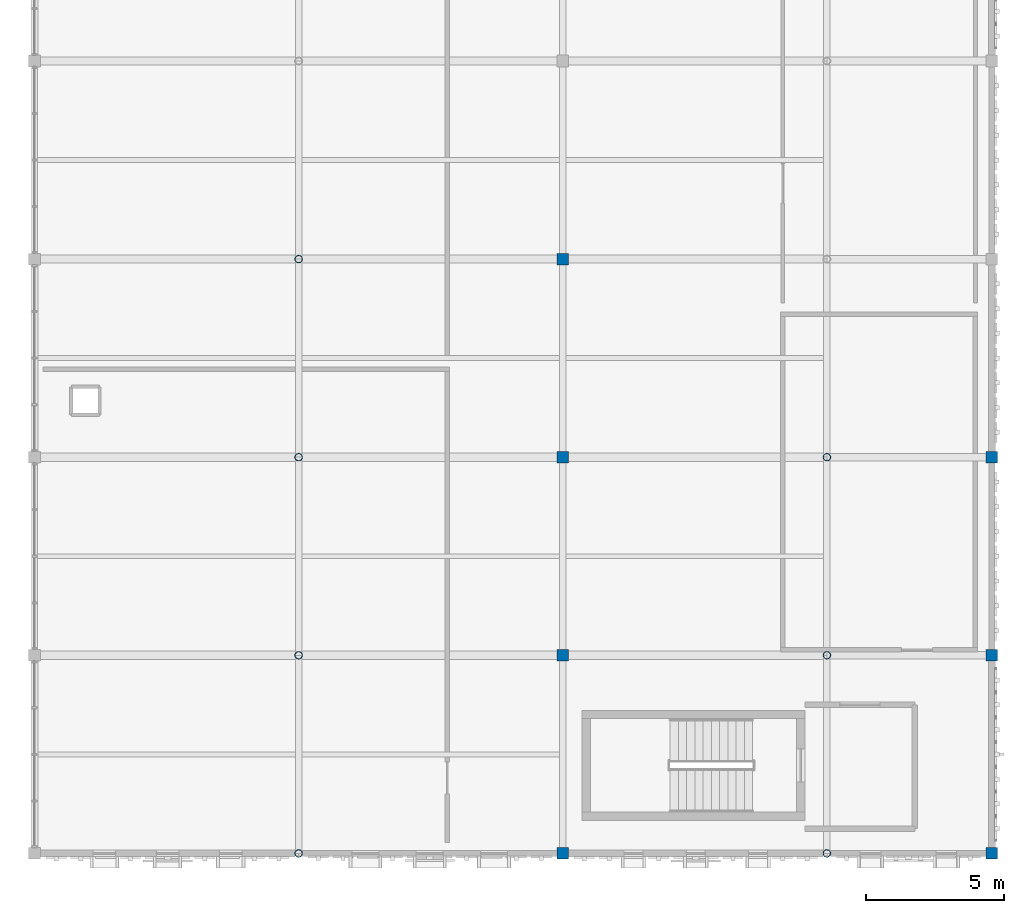
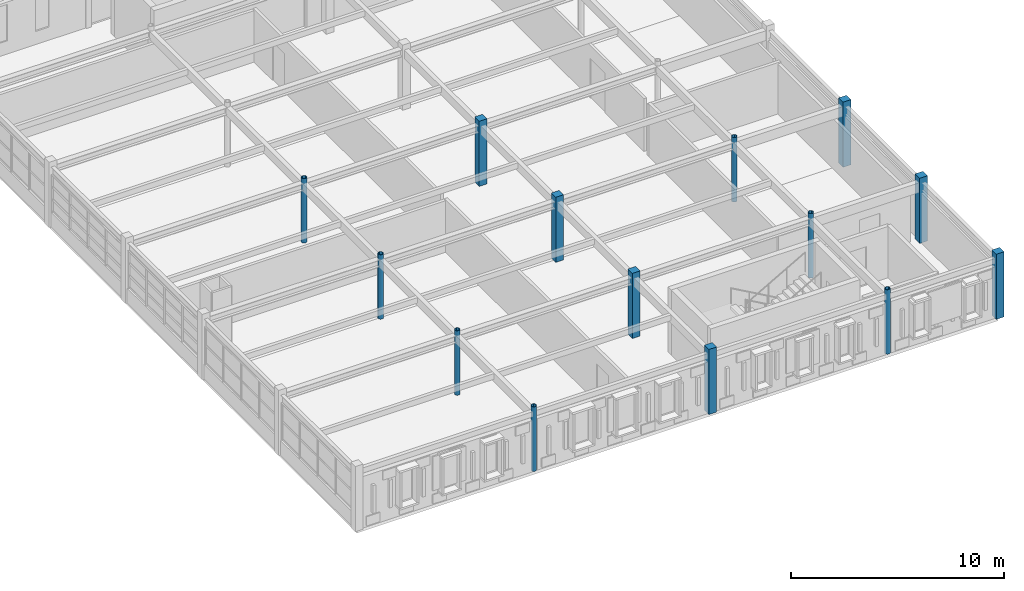
# One storey, part 5 of 46: 14 columns.
"""IFC4 building model written with IfcOpenShell, lengths in metres."""

import ifcopenshell
import ifcopenshell.guid

model = None  # the IFC model being written
_history = None  # IfcOwnerHistory: only IFC2X3 demands one
_inside = {}  # id of a spatial element -> (the spatial element, [elements in it])
_under = {}  # id of a project, library or spatial element -> (it, [spatial elements below it])
_declared = {}  # id of a project -> (the project, [libraries it declares])
_typed = {}  # id of a type object -> (the type object, [elements of that type])
_made_of = {}  # id of a material, layer set ... -> (it, [elements and type objects made of it])


def new_model(schema):
    """Start an empty IFC model of exactly this schema.

    Asked for "IFC4X3", IfcOpenShell would pick the latest addendum, in which some entities
    have other attributes; the version numbers below select the first issue.
    IFC2X3 requires an IfcOwnerHistory on every rooted entity: one is made here for all.
    """
    global model, _history
    if schema == "IFC4X3":
        model = ifcopenshell.file(schema_version=(4, 3, 0, 0))
    else:
        model = ifcopenshell.file(schema=schema)
    _inside.clear()
    _under.clear()
    _declared.clear()
    _typed.clear()
    _made_of.clear()
    _history = None
    if model.schema == "IFC2X3":
        org = make("IfcOrganization", Name="unknown")
        user = make(
            "IfcPersonAndOrganization",
            ThePerson=make("IfcPerson", FamilyName="unknown"),
            TheOrganization=org,
        )
        app = make(
            "IfcApplication",
            ApplicationDeveloper=org,
            Version="unknown",
            ApplicationFullName="unknown",
            ApplicationIdentifier="unknown",
        )
        _history = make(
            "IfcOwnerHistory",
            OwningUser=user,
            OwningApplication=app,
            ChangeAction="ADDED",
            CreationDate=0,
        )
    return model


def make(cls, **values):
    """One entity of the class cls with the attributes given. An attribute that is None is left unset."""
    return model.create_entity(
        cls, **{name: value for name, value in values.items() if value is not None}
    )


def rooted(cls, **values):
    """An entity with a GlobalId (a new one), such as an element, a storey or a relation."""
    return make(cls, GlobalId=ifcopenshell.guid.new(), OwnerHistory=_history, **values)


def si_unit(unit_type, name, prefix=None):
    """IfcSIUnit, for example si_unit("LENGTHUNIT", "METRE", prefix="MILLI")."""
    return make("IfcSIUnit", UnitType=unit_type, Prefix=prefix, Name=name)


def assignment(units):
    """IfcUnitAssignment: the units of a project."""
    return None if units is None else make("IfcUnitAssignment", Units=units)


def point(xyz):
    """IfcCartesianPoint."""
    return None if xyz is None else make("IfcCartesianPoint", Coordinates=xyz)


def direction(xyz):
    """IfcDirection."""
    return None if xyz is None else make("IfcDirection", DirectionRatios=xyz)


def frame(location, z_axis=None, x_axis=None):
    """IfcAxis2Placement3D, a coordinate frame: its origin and axes. An axis left out is left unset."""
    return make(
        "IfcAxis2Placement3D",
        Location=point(location),
        Axis=direction(z_axis),
        RefDirection=direction(x_axis),
    )


def frame_2d(location, x_axis=None):
    """IfcAxis2Placement2D, a coordinate frame in the plane: its origin and x axis."""
    return make(
        "IfcAxis2Placement2D", Location=point(location), RefDirection=direction(x_axis)
    )


def origin():
    """The frame at (0, 0, 0) with its axes left unset."""
    return frame((0.0, 0.0, 0.0))


def origin_2d():
    """The frame at (0, 0) in the plane with its x axis left unset."""
    return frame_2d((0.0, 0.0))


def place(relative_to, where):
    """IfcLocalPlacement: puts the frame where relative to a parent placement (None: the world)."""
    return make(
        "IfcLocalPlacement", PlacementRelTo=relative_to, RelativePlacement=where
    )


def context(
    kind, dimensions, precision=None, world=None, true_north=None, identifier=None
):
    """IfcGeometricRepresentationContext, for example the 3D "Model" context."""
    return make(
        "IfcGeometricRepresentationContext",
        ContextIdentifier=identifier,
        ContextType=kind,
        CoordinateSpaceDimension=dimensions,
        Precision=precision,
        WorldCoordinateSystem=world,
        TrueNorth=true_north,
    )


def subcontext(parent, identifier, kind, view, scale=None):
    """IfcGeometricRepresentationSubContext, for example "Body" below "Model"."""
    return make(
        "IfcGeometricRepresentationSubContext",
        ContextIdentifier=identifier,
        ContextType=kind,
        ParentContext=parent,
        TargetScale=scale,
        TargetView=view,
    )


def project(units=None, contexts=None):
    """IfcProject with its units and contexts."""
    return rooted(
        "IfcProject",
        Name="project",
        RepresentationContexts=contexts,
        UnitsInContext=assignment(units),
    )


def spatial(cls, under=None, at=None, **own):
    """A site, building, storey or space (cls), placed at a placement, below another one or the project."""
    s = rooted(cls, ObjectPlacement=at, **own)
    if under is not None:
        _under.setdefault(under.id(), (under, []))[1].append(s)
    return s


def profile(cls, at=None, kind="AREA", **sizes):
    """A parametric profile (cls). Its sizes go by their IFC names, for example OverallWidth=200.0."""
    return make(cls, ProfileType=kind, Position=at, **sizes)


def rectangle(**sizes):
    """IfcRectangleProfileDef."""
    return profile("IfcRectangleProfileDef", **sizes)


def hollow_circle(**sizes):
    """IfcCircleHollowProfileDef."""
    return profile("IfcCircleHollowProfileDef", **sizes)


def extrude(swept, where, along, depth):
    """IfcExtrudedAreaSolid: the profile swept, set in the frame where, extruded along a direction by depth."""
    return make(
        "IfcExtrudedAreaSolid",
        SweptArea=swept,
        Position=where,
        ExtrudedDirection=direction(along),
        Depth=depth,
    )


def shape(context_of_items, identifier, shape_type, items):
    """IfcShapeRepresentation: the items that make up one representation, for example the "Body"."""
    return make(
        "IfcShapeRepresentation",
        ContextOfItems=context_of_items,
        RepresentationIdentifier=identifier,
        RepresentationType=shape_type,
        Items=items,
    )


def material(Name=None, Category=None):
    """IfcMaterial."""
    return make("IfcMaterial", Name=Name, Category=Category)


def material_profile(
    of_material, cross_section, Name=None, Category=None, Priority=None
):
    """IfcMaterialProfile: a cross section and its material."""
    return make(
        "IfcMaterialProfile",
        Name=Name,
        Material=of_material,
        Profile=cross_section,
        Priority=Priority,
        Category=Category,
    )


def profile_set(profiles, Name=None, composite=None):
    """IfcMaterialProfileSet."""
    return make(
        "IfcMaterialProfileSet",
        Name=Name,
        MaterialProfiles=profiles,
        CompositeProfile=composite,
    )


def made_of(thing, what):
    """Note that an element or type object is made of a material, layer set ...; save() writes the relation."""
    if what is not None:
        _made_of.setdefault(what.id(), (what, []))[1].append(thing)
    return thing


def type_object(cls, material=None, **own):
    """A type object (cls), such as IfcWallType, which elements share."""
    return made_of(rooted(cls, **own), material)


def element(
    cls,
    number,
    at=None,
    inside=None,
    cuts=None,
    type_object=None,
    material=None,
    context=None,
    identifier="Body",
    shape_type=None,
    held_by="IfcProductDefinitionShape",
    body=None,
    shapes=None,
    **own,
):
    """One element of the class cls, such as IfcWall. Its Tag is "e" and its number.

    at: its placement. inside: the storey or other place that contains it. cuts: it is an
    opening in that element (IfcRelVoidsElement). A single representation is given by context,
    identifier, shape_type and body (its items); several are given by shapes. held_by: the class
    of the entity that holds the representations. save() writes the other relations.
    """
    e = rooted(cls, Tag="e%d" % number, ObjectPlacement=at, **own)
    if body is not None:
        shapes = [shape(context, identifier, shape_type, body)]
    if shapes is not None:
        e.Representation = make(held_by, Representations=shapes)
    if inside is not None:
        _inside.setdefault(inside.id(), (inside, []))[1].append(e)
    if cuts is not None:
        rooted(
            "IfcRelVoidsElement", RelatingBuildingElement=cuts, RelatedOpeningElement=e
        )
    if type_object is not None:
        _typed.setdefault(type_object.id(), (type_object, []))[1].append(e)
    return made_of(e, material)


def aggregate(whole, parts):
    """IfcRelAggregates: a whole, such as a stair, and the parts it consists of."""
    return rooted("IfcRelAggregates", RelatingObject=whole, RelatedObjects=parts)


def save(model, path):
    """Write the relations noted so far, then the file.

    IfcRelAggregates (storeys below a building ...), IfcRelContainedInSpatialStructure (elements
    in a storey), IfcRelDefinesByType, IfcRelAssociatesMaterial and IfcRelDeclares: one each for
    every whole, place, type object, material and project.
    """
    for whole, parts in _under.values():
        aggregate(whole, parts)
    for where, things in _inside.values():
        rooted(
            "IfcRelContainedInSpatialStructure",
            RelatedElements=things,
            RelatingStructure=where,
        )
    for kind, things in _typed.values():
        rooted("IfcRelDefinesByType", RelatedObjects=things, RelatingType=kind)
    for what, things in _made_of.values():
        rooted("IfcRelAssociatesMaterial", RelatedObjects=things, RelatingMaterial=what)
    for by, libraries in _declared.values():
        rooted("IfcRelDeclares", RelatingContext=by, RelatedDefinitions=libraries)
    model.write(path)


model = new_model("IFC4")

# Units and contexts
model_context = context("Model", 3, precision=1e-05, world=origin(), true_north=direction((0.0, 1.0)))
body_context = subcontext(model_context, "Body", "Model", "MODEL_VIEW")
ifc_project = project(units=[si_unit("LENGTHUNIT", "METRE"), si_unit("AREAUNIT", "SQUARE_METRE"), si_unit("VOLUMEUNIT", "CUBIC_METRE"), si_unit("PLANEANGLEUNIT", "RADIAN"), si_unit("MASSUNIT", "GRAM", prefix="KILO")], contexts=[model_context])

# Site, building, storey
site_placement = place(None, origin())
site = spatial("IfcSite", under=ifc_project, at=site_placement, CompositionType="ELEMENT")
building_placement = place(site_placement, origin())
building = spatial("IfcBuilding", under=site, at=building_placement, Name="Nzembalo Square Collegiate School", CompositionType="ELEMENT")
storey_placement = place(building_placement, frame((0.0, 0.0, 17.340087890625)))
storey = spatial("IfcBuildingStorey", under=building, at=storey_placement, Name="L04", CompositionType="ELEMENT", Elevation=17.340087890625)

# Columns
ifc_material_1 = material(Name="Glulam GL28h", Category="wood")
ifc_material_profile_1 = material_profile(ifc_material_1, rectangle(XDim=0.419921875, YDim=0.419921875, at=origin_2d()), Name="GL28h 420x420")
ifc_profile_set_1 = profile_set([ifc_material_profile_1], Name="Glulam GL28h")
column_type_1 = type_object("IfcColumnType", Name="C06", PredefinedType="COLUMN", material=ifc_profile_set_1)
for number, where, z_axis, x_axis, name in (
    (1, (150.0, 8.39990234375, 0.0), (0.0, 0.0, 1.0), (1.0, 0.0, 0.0), "Column C06 L04 22/B"),
    (2, (150.0, 15.60009765625, 0.0), (0.0, 0.0, 1.0), (1.0, 0.0, 0.0), "Column C06 L04 22/C"),
    (3, (150.0, 22.800048828125, 0.0), (0.0, 0.0, 1.0), (1.0, 0.0, 0.0), "Column C06 L04 22/D"),
    (4, (150.0, 30.0, 0.0), (0.0, 0.0, 1.0), (1.0, 0.0, 0.0), "Column C06 L04 22/E"),
    (5, (165.60009765625, 8.39990234375, 0.0), (0.0, 0.0, 1.0), (1.0, 0.0, 0.0), "Column C06 L04 24/B"),
    (6, (165.60009765625, 15.60009765625, 0.0), (0.0, 0.0, 1.0), (1.0, 0.0, 0.0), "Column C06 L04 24/C"),
    (7, (165.60009765625, 22.800048828125, 0.0), (0.0, 0.0, 1.0), (1.0, 0.0, 0.0), "Column C06 L04 24/D"),
):
    element("IfcColumn", number, at=place(storey_placement, frame(where, z_axis=z_axis, x_axis=x_axis)), inside=storey, type_object=column_type_1, Name=name, PredefinedType="COLUMN", context=body_context, shape_type="SweptSolid", body=[
        extrude(rectangle(XDim=0.419921875, YDim=0.419921875, at=origin_2d()), origin(), (0.0, 0.0, 1.0), 3.739990234375),
    ])
ifc_material_2 = material(Name="Steel S355", Category="steel")
ifc_material_profile_2 = material_profile(ifc_material_2, hollow_circle(Radius=0.136474609375, WallThickness=0.011962890625, at=origin_2d()), Name="CHS 273x12")
ifc_profile_set_2 = profile_set([ifc_material_profile_2], Name="Steel S355")
column_type_2 = type_object("IfcColumnType", Name="C09", PredefinedType="COLUMN", material=ifc_profile_set_2)
for number, where, z_axis, x_axis, name in (
    (8, (140.39990234375, 8.39990234375, 0.0), (0.0, 0.0, 1.0), (1.0, 0.0, 0.0), "Column C09 L04 21/B"),
    (9, (140.39990234375, 15.60009765625, 0.0), (0.0, 0.0, 1.0), (1.0, 0.0, 0.0), "Column C09 L04 21/C"),
    (10, (140.39990234375, 22.800048828125, 0.0), (0.0, 0.0, 1.0), (1.0, 0.0, 0.0), "Column C09 L04 21/D"),
    (11, (140.39990234375, 30.0, 0.0), (0.0, 0.0, 1.0), (1.0, 0.0, 0.0), "Column C09 L04 21/E"),
    (12, (159.60009765625, 8.39990234375, 0.0), (0.0, 0.0, 1.0), (1.0, 0.0, 0.0), "Column C09 L04 23/B"),
    (13, (159.60009765625, 15.60009765625, 0.0), (0.0, 0.0, 1.0), (1.0, 0.0, 0.0), "Column C09 L04 23/C"),
    (14, (159.60009765625, 22.800048828125, 0.0), (0.0, 0.0, 1.0), (1.0, 0.0, 0.0), "Column C09 L04 23/D"),
):
    element("IfcColumn", number, at=place(storey_placement, frame(where, z_axis=z_axis, x_axis=x_axis)), inside=storey, type_object=column_type_2, Name=name, PredefinedType="COLUMN", context=body_context, shape_type="SweptSolid", body=[
        extrude(hollow_circle(Radius=0.136474609375, WallThickness=0.011962890625, at=origin_2d()), origin(), (0.0, 0.0, 1.0), 3.699951171875),
    ])

save(model, "model.ifc")
